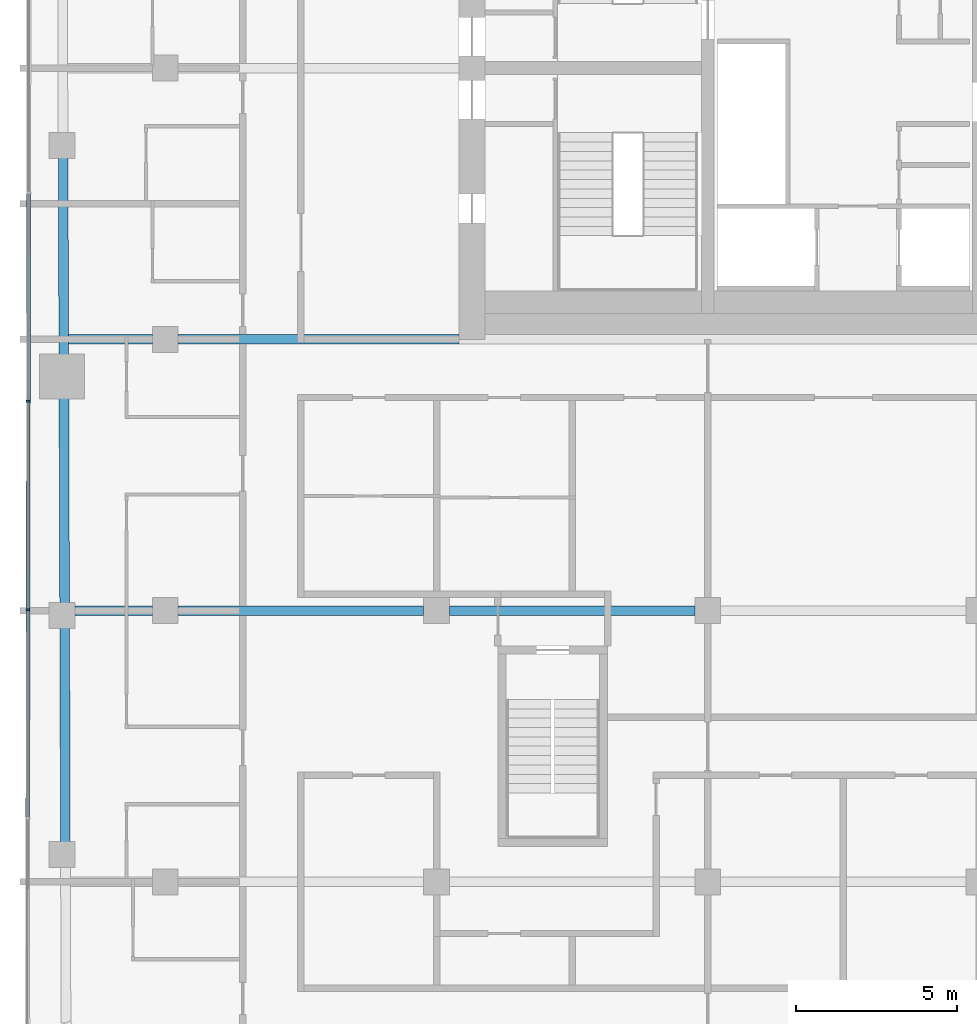
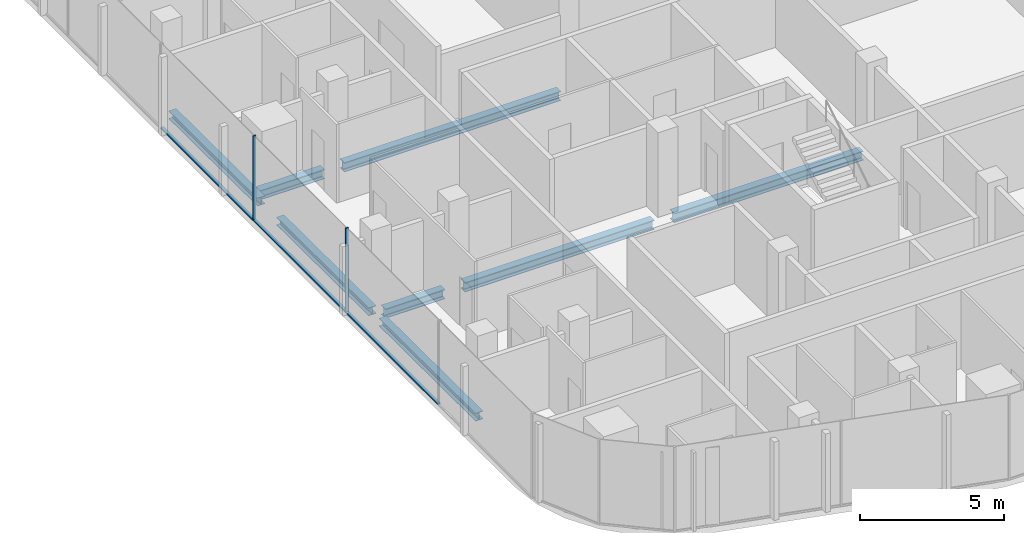
# One storey, part 4 of 22: 8 beams, 5 members, 1 element without a shape of its own.
"""IFC4 building model written with IfcOpenShell, lengths in metres."""

from ifc_helpers import new_model, si_unit, direction, frame, origin, origin_2d, place, context, subcontext, project, spatial, rectangle, i_section, extrude, material, layer, layer_set, material_profile, profile_set, type_object, element, aggregate, save


model = new_model("IFC4")

# Units and contexts
model_context = context("Model", 3, precision=1e-05, world=origin(), true_north=direction((0.0, 1.0)))
body_context = subcontext(model_context, "Body", "Model", "MODEL_VIEW")
ifc_project = project(units=[si_unit("LENGTHUNIT", "METRE"), si_unit("AREAUNIT", "SQUARE_METRE"), si_unit("VOLUMEUNIT", "CUBIC_METRE"), si_unit("PLANEANGLEUNIT", "RADIAN"), si_unit("MASSUNIT", "GRAM", prefix="KILO")], contexts=[model_context])

# Site, building, storey
site_placement = place(None, origin())
site = spatial("IfcSite", under=ifc_project, at=site_placement, CompositionType="ELEMENT")
building_placement = place(site_placement, origin())
building = spatial("IfcBuilding", under=site, at=building_placement, Name="Marenta Gate Hotel Tower", CompositionType="ELEMENT")
storey_placement = place(building_placement, frame((0.0, 0.0, 230.89990234375)))
storey = spatial("IfcBuildingStorey", under=building, at=storey_placement, Name="L54", CompositionType="ELEMENT", Elevation=230.89990234375)

# Beams
ifc_material_1 = material(Name="Steel S355", Category="steel")
ifc_material_profile_1 = material_profile(ifc_material_1, i_section(OverallWidth=0.300048828125, OverallDepth=0.340087890625, WebThickness=0.011962890625, FlangeThickness=0.021484375, FilletRadius=0.027099609375, at=origin_2d()), Name="HEB 340")
ifc_profile_set_1 = profile_set([ifc_material_profile_1], Name="Steel S355")
beam_type_1 = type_object("IfcBeamType", Name="Edge beam HEB 340", PredefinedType="SPANDREL", material=ifc_profile_set_1)
beam_1_placement = place(storey_placement, frame((-24.09375, -15.591796875, -0.429931640625), z_axis=(-0.00332539729, 0.999994470851, 0.0), x_axis=(-0.999994470851, -0.00332539729, 0.0)))
element("IfcBeam", 1, at=beam_1_placement, inside=storey, type_object=beam_type_1, Name="L54-EB-6", PredefinedType="SPANDREL", context=body_context, shape_type="SweptSolid", body=[
    extrude(i_section(OverallWidth=0.300048828125, OverallDepth=0.340087890625, WebThickness=0.011962890625, FlangeThickness=0.021484375, FilletRadius=0.027099609375, at=origin_2d()), origin(), (0.0, 0.0, 1.0), 6.680908203125),
])
beam_2_placement = place(storey_placement, frame((-24.118408203125, -8.19091796875, -0.429931640625), z_axis=(-0.003328723523, 0.999994459785, 0.0), x_axis=(-0.999994459785, -0.003328723523, 0.0)))
element("IfcBeam", 2, at=beam_2_placement, inside=storey, type_object=beam_type_1, Name="L54-EB-7", PredefinedType="SPANDREL", context=body_context, shape_type="SweptSolid", body=[
    extrude(i_section(OverallWidth=0.300048828125, OverallDepth=0.340087890625, WebThickness=0.011962890625, FlangeThickness=0.021484375, FilletRadius=0.027099609375, at=origin_2d()), origin(), (0.0, 0.0, 1.0), 6.380859375),
])
beam_3_placement = place(storey_placement, frame((-24.14404296875, -0.489990234375, -0.429931640625), z_axis=(-0.003303859048, 0.999994542243, 0.0), x_axis=(-0.999994542243, -0.003303859048, 0.0)))
element("IfcBeam", 3, at=beam_3_placement, inside=storey, type_object=beam_type_1, Name="L54-EB-8", PredefinedType="SPANDREL", context=body_context, shape_type="SweptSolid", body=[
    extrude(i_section(OverallWidth=0.300048828125, OverallDepth=0.340087890625, WebThickness=0.011962890625, FlangeThickness=0.021484375, FilletRadius=0.027099609375, at=origin_2d()), origin(), (0.0, 0.0, 1.0), 6.13330078125),
])
ifc_material_2 = material(Name="Steel S355", Category="steel")
ifc_material_profile_2 = material_profile(ifc_material_2, i_section(OverallWidth=0.300048828125, OverallDepth=0.39990234375, WebThickness=0.013427734375, FlangeThickness=0.02392578125, FilletRadius=0.027099609375, at=origin_2d()), Name="HEB 400")
ifc_profile_set_2 = profile_set([ifc_material_profile_2], Name="Steel S355")
beam_type_2 = type_object("IfcBeamType", Name="Girder HEB 400", PredefinedType="BEAM", material=ifc_profile_set_2)
beam_4_placement = place(storey_placement, frame((-23.800048828125, -8.39990234375, -0.4599609375), z_axis=(1.0, 0.0, 0.0), x_axis=(0.0, 1.0, 0.0)))
element("IfcBeam", 4, at=beam_4_placement, inside=storey, type_object=beam_type_2, Name="L54-GD-13", PredefinedType="BEAM", context=body_context, shape_type="SweptSolid", body=[
    extrude(i_section(OverallWidth=0.300048828125, OverallDepth=0.39990234375, WebThickness=0.013427734375, FlangeThickness=0.02392578125, FilletRadius=0.027099609375, at=origin_2d()), origin(), (0.0, 0.0, 1.0), 2.400146484375),
])
beam_5_placement = place(storey_placement, frame((-20.60009765625, -8.39990234375, -0.4599609375), z_axis=(1.0, 0.0, 0.0), x_axis=(0.0, 1.0, 0.0)))
element("IfcBeam", 5, at=beam_5_placement, inside=storey, type_object=beam_type_2, Name="L54-GD-14", PredefinedType="BEAM", context=body_context, shape_type="SweptSolid", body=[
    extrude(i_section(OverallWidth=0.300048828125, OverallDepth=0.39990234375, WebThickness=0.013427734375, FlangeThickness=0.02392578125, FilletRadius=0.027099609375, at=origin_2d()), origin(), (0.0, 0.0, 1.0), 7.60009765625),
])
beam_6_placement = place(storey_placement, frame((-12.199951171875, -8.39990234375, -0.4599609375), z_axis=(1.0, 0.0, 0.0), x_axis=(0.0, 1.0, 0.0)))
element("IfcBeam", 6, at=beam_6_placement, inside=storey, type_object=beam_type_2, Name="L54-GD-15", PredefinedType="BEAM", context=body_context, shape_type="SweptSolid", body=[
    extrude(i_section(OverallWidth=0.300048828125, OverallDepth=0.39990234375, WebThickness=0.013427734375, FlangeThickness=0.02392578125, FilletRadius=0.027099609375, at=origin_2d()), origin(), (0.0, 0.0, 1.0), 7.599853515625),
])
beam_7_placement = place(storey_placement, frame((-23.99560546875, 0.0, -0.4599609375), z_axis=(1.0, 0.0, 0.0), x_axis=(0.0, 1.0, 0.0)))
element("IfcBeam", 7, at=beam_7_placement, inside=storey, type_object=beam_type_2, Name="L54-GD-20", PredefinedType="BEAM", context=body_context, shape_type="SweptSolid", body=[
    extrude(i_section(OverallWidth=0.300048828125, OverallDepth=0.39990234375, WebThickness=0.013427734375, FlangeThickness=0.02392578125, FilletRadius=0.027099609375, at=origin_2d()), origin(), (0.0, 0.0, 1.0), 2.595703125),
])
beam_8_placement = place(storey_placement, frame((-20.60009765625, 0.0, -0.4599609375), z_axis=(1.0, 0.0, 0.0), x_axis=(0.0, 1.0, 0.0)))
element("IfcBeam", 8, at=beam_8_placement, inside=storey, type_object=beam_type_2, Name="L54-GD-21", PredefinedType="BEAM", context=body_context, shape_type="SweptSolid", body=[
    extrude(i_section(OverallWidth=0.300048828125, OverallDepth=0.39990234375, WebThickness=0.013427734375, FlangeThickness=0.02392578125, FilletRadius=0.027099609375, at=origin_2d()), origin(), (0.0, 0.0, 1.0), 8.7001953125),
])

# Curtain wall, members
ifc_material_3 = material(Name="Tinted insulated glass in bronze anodised frame", Category="glass")
ifc_layer = layer(ifc_material_3, 0.1201171875)
ifc_layer_set = layer_set([ifc_layer], Name="Tinted insulated glass in bronze anodised frame")
curtain_wall_type = type_object("IfcCurtainWallType", Name="Tower unitised curtain wall CW1", PredefinedType="NOTDEFINED", material=ifc_layer_set)
curtain_wall_placement = place(storey_placement, origin())
curtain_wall = element("IfcCurtainWall", 9, at=curtain_wall_placement, inside=storey, type_object=curtain_wall_type, Name="CW1 run G03", PredefinedType="NOTDEFINED")
ifc_material_4 = material(Name="Bronze anodised aluminium", Category="aluminium")
ifc_material_profile_3 = material_profile(ifc_material_4, rectangle(XDim=0.1201171875, YDim=0.06005859375, at=origin_2d()), Name="Mullion CW1 60x120 bronze anodised aluminium")
ifc_profile_set_3 = profile_set([ifc_material_profile_3], Name="Bronze anodised aluminium")
member_type_1 = type_object("IfcMemberType", Name="Mullion CW1 60x120 bronze anodised aluminium", PredefinedType="MULLION", material=ifc_profile_set_3)
member_1_placement = place(storey_placement, frame((-25.24267578125, -1.913818359375, 0.0), z_axis=(0.0, 0.0, 1.0), x_axis=(0.99999877375, -0.001566045546, 0.0)))
member_1 = element("IfcMember", 10, at=member_1_placement, type_object=member_type_1, Name="CW1 mullion 4", PredefinedType="MULLION", context=body_context, shape_type="SweptSolid", body=[
    extrude(rectangle(XDim=0.1201171875, YDim=0.06005859375, at=origin_2d()), origin(), (0.0, 0.0, 1.0), 3.60009765625),
])
member_2_placement = place(storey_placement, frame((-25.252685546875, -8.373779296875, 0.0), z_axis=(0.0, 0.0, 1.0), x_axis=(0.99999877375, -0.001566045546, 0.0)))
member_2 = element("IfcMember", 11, at=member_2_placement, type_object=member_type_1, Name="CW1 mullion 5", PredefinedType="MULLION", context=body_context, shape_type="SweptSolid", body=[
    extrude(rectangle(XDim=0.1201171875, YDim=0.06005859375, at=origin_2d()), origin(), (0.0, 0.0, 1.0), 3.60009765625),
])
ifc_material_5 = material(Name="Bronze anodised aluminium", Category="aluminium")
ifc_material_profile_4 = material_profile(ifc_material_5, rectangle(XDim=0.1201171875, YDim=0.06005859375, at=origin_2d()), Name="Transom CW1 60x120 bronze anodised aluminium")
ifc_profile_set_4 = profile_set([ifc_material_profile_4], Name="Bronze anodised aluminium")
member_type_2 = type_object("IfcMemberType", Name="Transom CW1 60x120 bronze anodised aluminium", PredefinedType="USERDEFINED", material=ifc_profile_set_4)
member_3_placement = place(storey_placement, frame((-25.232666015625, 4.51611328125, 0.030029296875), z_axis=(-0.001564047831, -0.999998776876, 0.0), x_axis=(0.999998776876, -0.001564047831, 0.0)))
member_3 = element("IfcMember", 12, at=member_3_placement, type_object=member_type_2, Name="CW1 transom 3.1", ObjectType="TRANSOM", PredefinedType="USERDEFINED", context=body_context, shape_type="SweptSolid", body=[
    extrude(rectangle(XDim=0.1201171875, YDim=0.06005859375, at=origin_2d()), origin(), (0.0, 0.0, 1.0), 6.39990234375),
])
member_4_placement = place(storey_placement, frame((-25.24267578125, -1.94384765625, 0.030029296875), z_axis=(-0.001564047831, -0.999998776876, 0.0), x_axis=(0.999998776876, -0.001564047831, 0.0)))
member_4 = element("IfcMember", 13, at=member_4_placement, type_object=member_type_2, Name="CW1 transom 4.1", ObjectType="TRANSOM", PredefinedType="USERDEFINED", context=body_context, shape_type="SweptSolid", body=[
    extrude(rectangle(XDim=0.1201171875, YDim=0.06005859375, at=origin_2d()), origin(), (0.0, 0.0, 1.0), 6.39990234375),
])
member_5_placement = place(storey_placement, frame((-25.2529296875, -8.40380859375, 0.030029296875), z_axis=(-0.001564047831, -0.999998776876, 0.0), x_axis=(0.999998776876, -0.001564047831, 0.0)))
member_5 = element("IfcMember", 14, at=member_5_placement, type_object=member_type_2, Name="CW1 transom 5.1", ObjectType="TRANSOM", PredefinedType="USERDEFINED", context=body_context, shape_type="SweptSolid", body=[
    extrude(rectangle(XDim=0.1201171875, YDim=0.06005859375, at=origin_2d()), origin(), (0.0, 0.0, 1.0), 6.39990234375),
])
aggregate(curtain_wall, [member_1, member_2, member_3, member_4, member_5])

save(model, "model.ifc")
